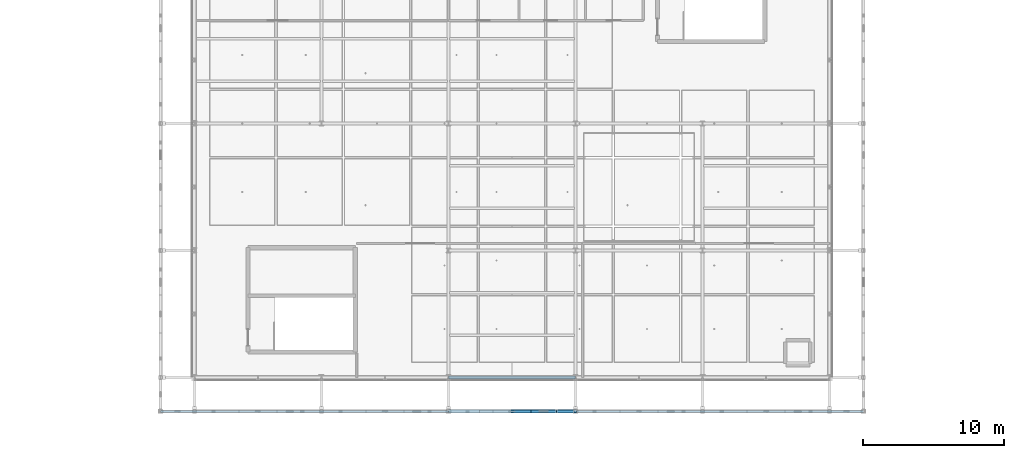
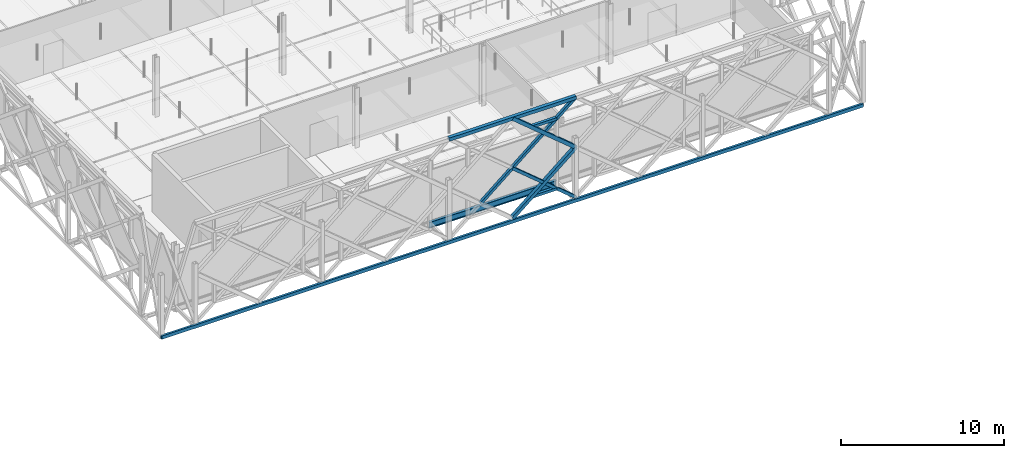
# One storey, part 17 of 66: 9 members, 2 beams.
"""IFC4 building model written with IfcOpenShell, lengths in metres."""

from ifc_helpers import new_model, si_unit, direction, frame, origin, origin_2d, place, context, subcontext, project, spatial, hollow_rectangle, i_section, extrude, material, material_profile, profile_set, type_object, element, save


model = new_model("IFC4")

# Units and contexts
model_context = context("Model", 3, precision=1e-05, world=origin(), true_north=direction((0.0, 1.0)))
body_context = subcontext(model_context, "Body", "Model", "MODEL_VIEW")
ifc_project = project(units=[si_unit("LENGTHUNIT", "METRE"), si_unit("AREAUNIT", "SQUARE_METRE"), si_unit("VOLUMEUNIT", "CUBIC_METRE"), si_unit("PLANEANGLEUNIT", "RADIAN"), si_unit("MASSUNIT", "GRAM", prefix="KILO"), si_unit("THERMODYNAMICTEMPERATUREUNIT", "KELVIN"), si_unit("POWERUNIT", "WATT")], contexts=[model_context])

# Site, building, storey
site_placement = place(None, origin())
site = spatial("IfcSite", under=ifc_project, at=site_placement, CompositionType="ELEMENT")
building_placement = place(site_placement, origin())
building = spatial("IfcBuilding", under=site, at=building_placement, Name="Tallowbark Science Centre", CompositionType="ELEMENT")
storey_placement = place(building_placement, frame((0.0, 0.0, 18.89990234375)))
storey = spatial("IfcBuildingStorey", under=building, at=storey_placement, Name="L04", CompositionType="ELEMENT", Elevation=18.89990234375)

# Members
ifc_material_1 = material(Name="White Architectural Painted Steel Grade C350L0 (350 MPa)", Category="steel")
ifc_material_profile_1 = material_profile(ifc_material_1, hollow_rectangle(XDim=0.25, YDim=0.25, WallThickness=0.009033203125, at=origin_2d()), Name="250x250x9.0SHS")
ifc_profile_set_1 = profile_set([ifc_material_profile_1], Name="White Architectural Painted Steel Grade C350L0 (350 MPa)")
member_type_1 = type_object("IfcMemberType", Name="SCR-CHD200", PredefinedType="CHORD", material=ifc_profile_set_1)
member_1_placement = place(storey_placement, frame((76.5, 2.10009765625, 7.5), z_axis=(1.0, 0.0, 0.0), x_axis=(0.0, 1.0, 0.0)))
element("IfcMember", 1, at=member_1_placement, inside=storey, type_object=member_type_1, Name="Star Screen Frame Chord S-40", PredefinedType="CHORD", context=body_context, shape_type="SweptSolid", body=[
    extrude(hollow_rectangle(XDim=0.25, YDim=0.25, WallThickness=0.009033203125, at=origin_2d()), origin(), (0.0, 0.0, 1.0), 9.0),
])
for number, where, z_axis, x_axis, name in (
    (2, (81.0, 2.10009765625, 0.0), (0.768221279597, 0.0, 0.640184399664), (0.0, 1.0, 0.0), "Star Screen Octagram Diamond Chord S-40-1"),
    (3, (85.5, 2.10009765625, 3.75), (-0.768221279597, 0.0, 0.640184399664), (0.0, -1.0, 0.0), "Star Screen Octagram Diamond Chord S-40-2"),
):
    element("IfcMember", number, at=place(storey_placement, frame(where, z_axis=z_axis, x_axis=x_axis)), inside=storey, type_object=member_type_1, Name=name, PredefinedType="CHORD", context=body_context, shape_type="SweptSolid", body=[
        extrude(hollow_rectangle(XDim=0.25, YDim=0.25, WallThickness=0.009033203125, at=origin_2d()), origin(), (0.0, 0.0, 1.0), 5.857666015625),
    ])
ifc_material_profile_2 = material_profile(ifc_material_1, hollow_rectangle(XDim=0.199951171875, YDim=0.199951171875, WallThickness=0.009033203125, at=origin_2d()), Name="200x200x9.0SHS")
ifc_profile_set_2 = profile_set([ifc_material_profile_2], Name="White Architectural Painted Steel Grade C350L0 (350 MPa)")
member_type_2 = type_object("IfcMemberType", Name="SCR-STAR139", PredefinedType="BRACE", material=ifc_profile_set_2)
member_2_placement = place(storey_placement, frame((78.75, 2.10009765625, 1.875), z_axis=(0.768221279597, 0.0, 0.640184399664), x_axis=(0.0, 1.0, 0.0)))
element("IfcMember", 4, at=member_2_placement, inside=storey, type_object=member_type_2, Name="Star Screen Continuous X-Diagonal D1M S-40", PredefinedType="BRACE", context=body_context, shape_type="SweptSolid", body=[
    extrude(hollow_rectangle(XDim=0.199951171875, YDim=0.199951171875, WallThickness=0.009033203125, at=origin_2d()), origin(), (0.0, 0.0, 1.0), 5.857666015625),
])
for number, where, z_axis, x_axis, name in (
    (5, (83.25, 2.10009765625, 5.625), (0.768221279597, 0.0, 0.640184399664), (0.0, 1.0, 0.0), "Star Screen Continuous X-Diagonal D1B S-40"),
    (6, (81.0, 2.10009765625, 3.75), (0.768221279597, 0.0, -0.640184399664), (0.0, 1.0, 0.0), "Star Screen Split X-Diagonal D2C S-40"),
    (7, (83.25, 2.10009765625, 1.875), (0.768221279597, 0.0, -0.640184399664), (0.0, 1.0, 0.0), "Star Screen Split X-Diagonal D2D S-40"),
):
    element("IfcMember", number, at=place(storey_placement, frame(where, z_axis=z_axis, x_axis=x_axis)), inside=storey, type_object=member_type_2, Name=name, PredefinedType="BRACE", context=body_context, shape_type="SweptSolid", body=[
        extrude(hollow_rectangle(XDim=0.199951171875, YDim=0.199951171875, WallThickness=0.009033203125, at=origin_2d()), origin(), (0.0, 0.0, 1.0), 2.928955078125),
    ])
ifc_material_profile_3 = material_profile(ifc_material_1, hollow_rectangle(XDim=0.199951171875, YDim=0.199951171875, WallThickness=0.009033203125, at=origin_2d()), Name="200x200x9.0SHS")
ifc_profile_set_3 = profile_set([ifc_material_profile_3], Name="White Architectural Painted Steel Grade C350L0 (350 MPa)")
member_type_3 = type_object("IfcMemberType", Name="SCR-SUB150", PredefinedType="BRACE", material=ifc_profile_set_3)
for number, where, z_axis, x_axis, name in (
    (8, (84.14990234375, 2.10009765625, 1.125), (-1.0, 0.0, 0.0), (0.0, -1.0, 0.0), "Star Screen Octagram Point Ray S-40-3"),
    (9, (84.14990234375, 2.10009765625, 6.375), (-1.0, 0.0, 0.0), (0.0, -1.0, 0.0), "Star Screen Octagram Point Ray S-40-5"),
):
    element("IfcMember", number, at=place(storey_placement, frame(where, z_axis=z_axis, x_axis=x_axis)), inside=storey, type_object=member_type_3, Name=name, PredefinedType="BRACE", context=body_context, shape_type="SweptSolid", body=[
        extrude(hollow_rectangle(XDim=0.199951171875, YDim=0.199951171875, WallThickness=0.009033203125, at=origin_2d()), origin(), (0.0, 0.0, 1.0), 1.7998046875),
    ])

# Beams
ifc_material_profile_4 = material_profile(ifc_material_1, hollow_rectangle(XDim=0.14990234375, YDim=0.25, WallThickness=0.009033203125, at=origin_2d()), Name="250x150x9.0RHS")
ifc_profile_set_4 = profile_set([ifc_material_profile_4], Name="White Architectural Painted Steel Grade C350L0 (350 MPa)")
beam_type_1 = type_object("IfcBeamType", Name="SPN-RHS250", PredefinedType="SPANDREL", material=ifc_profile_set_4)
beam_1_placement = place(storey_placement, frame((56.10009765625, 2.10009765625, -0.25), z_axis=(1.0, 0.0, 0.0), x_axis=(0.0, 1.0, 0.0)))
element("IfcBeam", 10, at=beam_1_placement, inside=storey, type_object=beam_type_1, Name="Star Screen Perimeter Ring Beam S-L04", PredefinedType="SPANDREL", context=body_context, shape_type="SweptSolid", body=[
    extrude(hollow_rectangle(XDim=0.14990234375, YDim=0.25, WallThickness=0.009033203125, at=origin_2d()), origin(), (0.0, 0.0, 1.0), 49.7998046875),
])
ifc_material_2 = material(Name="Structural Steel Grade 300PLUS (300 MPa)", Category="steel")
ifc_material_profile_5 = material_profile(ifc_material_2, i_section(OverallWidth=0.18994140625, OverallDepth=0.453857421875, WebThickness=0.008544921875, FlangeThickness=0.0126953125, FilletRadius=0.011474609375, at=origin_2d()), Name="460UB67.1")
ifc_profile_set_5 = profile_set([ifc_material_profile_5], Name="Structural Steel Grade 300PLUS (300 MPa)")
beam_type_2 = type_object("IfcBeamType", Name="SPN-UB460", PredefinedType="SPANDREL", material=ifc_profile_set_5)
beam_2_placement = place(storey_placement, frame((76.5, 4.5, -0.40673828125), z_axis=(1.0, 0.0, 0.0), x_axis=(0.0, 1.0, 0.0)))
element("IfcBeam", 11, at=beam_2_placement, inside=storey, type_object=beam_type_2, Name="Primary Girder GRDX-L04-765-855-45", PredefinedType="SPANDREL", context=body_context, shape_type="SweptSolid", body=[
    extrude(i_section(OverallWidth=0.18994140625, OverallDepth=0.453857421875, WebThickness=0.008544921875, FlangeThickness=0.0126953125, FilletRadius=0.011474609375, at=origin_2d()), origin(), (0.0, 0.0, 1.0), 9.0),
])

save(model, "model.ifc")
